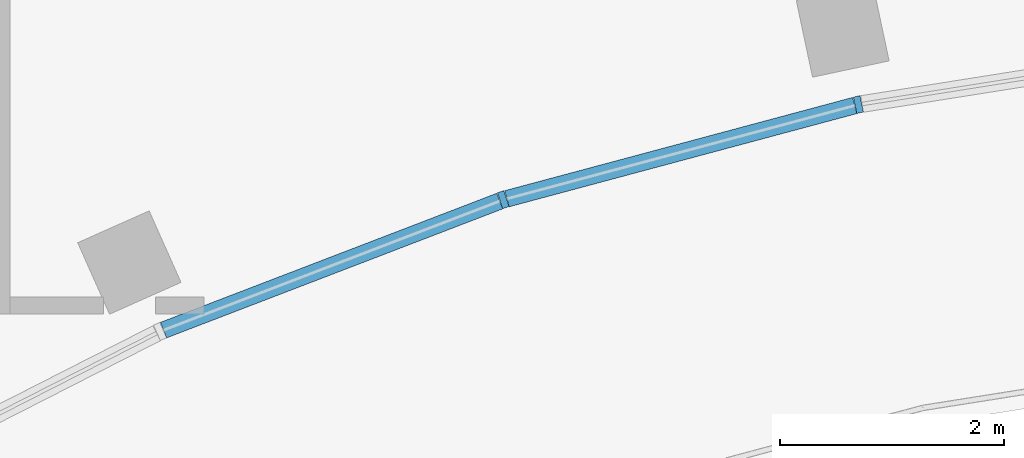
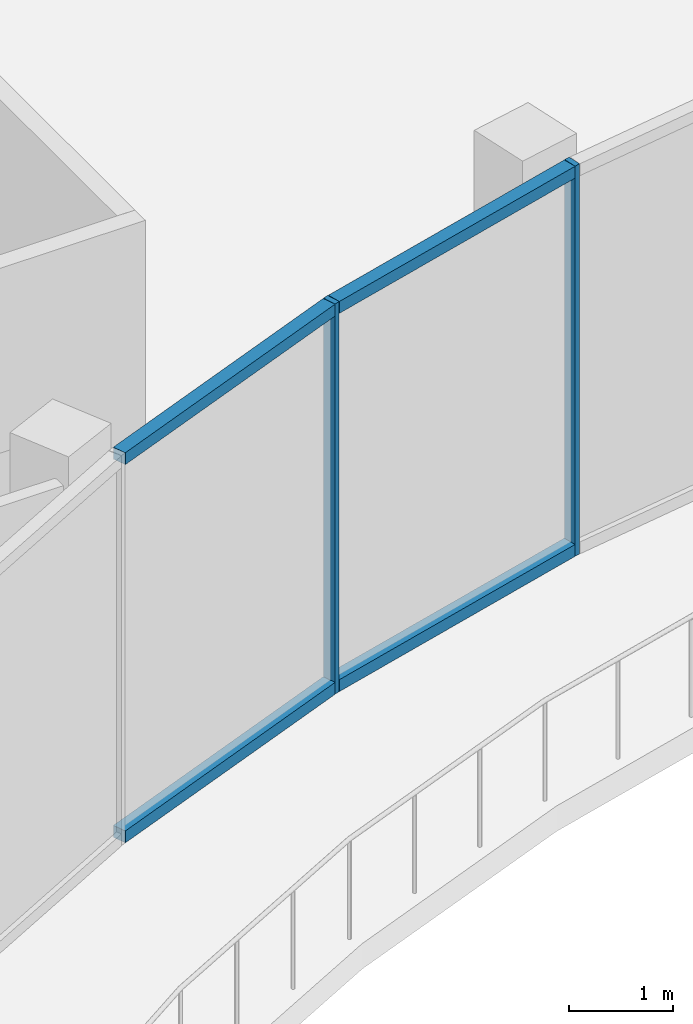
# One storey, part 6 of 33: 6 members, 1 element without a shape of its own.
"""IFC4 building model written with IfcOpenShell, lengths in metres."""

from ifc_helpers import new_model, si_unit, direction, frame, origin, origin_2d, place, context, subcontext, project, spatial, rectangle, extrude, material, layer, layer_set, material_profile, profile_set, type_object, element, aggregate, save


model = new_model("IFC4")

# Units and contexts
model_context = context("Model", 3, precision=1e-05, world=origin(), true_north=direction((0.0, 1.0)))
body_context = subcontext(model_context, "Body", "Model", "MODEL_VIEW")
ifc_project = project(units=[si_unit("LENGTHUNIT", "METRE"), si_unit("AREAUNIT", "SQUARE_METRE"), si_unit("VOLUMEUNIT", "CUBIC_METRE"), si_unit("PLANEANGLEUNIT", "RADIAN"), si_unit("MASSUNIT", "GRAM", prefix="KILO")], contexts=[model_context])

# Site, building, storey
site_placement = place(None, origin())
site = spatial("IfcSite", under=ifc_project, at=site_placement, CompositionType="ELEMENT")
building_placement = place(site_placement, origin())
building = spatial("IfcBuilding", under=site, at=building_placement, Name="Stone Belt Terrace Tower", CompositionType="ELEMENT")
storey_placement = place(building_placement, frame((0.0, 0.0, 25.39990234375)))
storey = spatial("IfcBuildingStorey", under=building, at=storey_placement, Name="L05", CompositionType="ELEMENT", Elevation=25.39990234375)

# Curtain wall, members
ifc_material = material(Name="Aluminium 6063-T6 anodised frame", Category="aluminium")
ifc_layer = layer(ifc_material, 0.14990234375)
ifc_layer_set = layer_set([ifc_layer], Name="CW-D podium shopfront")
curtain_wall_type = type_object("IfcCurtainWallType", Name="CW-D podium shopfront", PredefinedType="NOTDEFINED", material=ifc_layer_set)
curtain_wall_placement = place(storey_placement, origin())
curtain_wall = element("IfcCurtainWall", 1, at=curtain_wall_placement, inside=storey, type_object=curtain_wall_type, Name="CW-D concave face L05", PredefinedType="NOTDEFINED")
ifc_material_profile_1 = material_profile(ifc_material, rectangle(XDim=0.14990234375, YDim=0.06005859375, at=origin_2d()), Name="Aluminium 6063-T6 60x150")
ifc_profile_set_1 = profile_set([ifc_material_profile_1], Name="Aluminium 6063-T6 anodised frame")
member_type_1 = type_object("IfcMemberType", Name="CW-D mullion 60 x 150", PredefinedType="MULLION", material=ifc_profile_set_1)
member_1_placement = place(storey_placement, frame((-9.7109375, 29.886962890625, 0.0), z_axis=(0.0, 0.0, 1.0), x_axis=(-0.309016994375, 0.951056516295, 0.0)))
member_1 = element("IfcMember", 2, at=member_1_placement, type_object=member_type_1, Name="CW-D mullion 9", PredefinedType="MULLION", context=body_context, shape_type="SweptSolid", body=[
    extrude(rectangle(XDim=0.14990234375, YDim=0.06005859375, at=origin_2d()), origin(), (0.0, 0.0, 1.0), 4.60009765625),
])
member_2_placement = place(storey_placement, frame((-6.53369140625, 30.73828125, 0.0), z_axis=(0.0, 0.0, 1.0), x_axis=(-0.207911690818, 0.978147600734, 0.0)))
member_2 = element("IfcMember", 3, at=member_2_placement, type_object=member_type_1, Name="CW-D mullion 10", PredefinedType="MULLION", context=body_context, shape_type="SweptSolid", body=[
    extrude(rectangle(XDim=0.14990234375, YDim=0.06005859375, at=origin_2d()), origin(), (0.0, 0.0, 1.0), 4.60009765625),
])
ifc_material_profile_2 = material_profile(ifc_material, rectangle(XDim=0.14990234375, YDim=0.139892578125, at=origin_2d()), Name="Aluminium 6063-T6 150x140")
ifc_profile_set_2 = profile_set([ifc_material_profile_2], Name="Aluminium 6063-T6 anodised frame")
member_type_2 = type_object("IfcMemberType", Name="CW-D transom 140 x 150", PredefinedType="USERDEFINED", material=ifc_profile_set_2)
member_3_placement = place(storey_placement, frame((-12.75, 28.72021484375, 0.070068359375), z_axis=(0.933575889174, 0.358379769454, 0.0), x_axis=(-0.358379769454, 0.933575889174, 0.0)))
member_3 = element("IfcMember", 4, at=member_3_placement, type_object=member_type_2, Name="CW-D transom 8.1", ObjectType="TRANSOM", PredefinedType="USERDEFINED", context=body_context, shape_type="SweptSolid", body=[
    extrude(rectangle(XDim=0.14990234375, YDim=0.139892578125, at=origin_2d()), origin(), (0.0, 0.0, 1.0), 3.221435546875),
])
member_4_placement = place(storey_placement, frame((-12.75, 28.72021484375, 4.530029296875), z_axis=(0.933575889174, 0.358379769454, 0.0), x_axis=(-0.358379769454, 0.933575889174, 0.0)))
member_4 = element("IfcMember", 5, at=member_4_placement, type_object=member_type_2, Name="CW-D transom 8.2", ObjectType="TRANSOM", PredefinedType="USERDEFINED", context=body_context, shape_type="SweptSolid", body=[
    extrude(rectangle(XDim=0.14990234375, YDim=0.139892578125, at=origin_2d()), origin(), (0.0, 0.0, 1.0), 3.221435546875),
])
member_5_placement = place(storey_placement, frame((-9.677978515625, 29.8955078125, 0.070068359375), z_axis=(0.96590711301, 0.258888873915, 0.0), x_axis=(-0.258888873915, 0.96590711301, 0.0)))
member_5 = element("IfcMember", 6, at=member_5_placement, type_object=member_type_2, Name="CW-D transom 9.1", ObjectType="TRANSOM", PredefinedType="USERDEFINED", context=body_context, shape_type="SweptSolid", body=[
    extrude(rectangle(XDim=0.14990234375, YDim=0.139892578125, at=origin_2d()), origin(), (0.0, 0.0, 1.0), 3.221435546875),
])
member_6_placement = place(storey_placement, frame((-9.677978515625, 29.8955078125, 4.530029296875), z_axis=(0.96590711301, 0.258888873915, 0.0), x_axis=(-0.258888873915, 0.96590711301, 0.0)))
member_6 = element("IfcMember", 7, at=member_6_placement, type_object=member_type_2, Name="CW-D transom 9.2", ObjectType="TRANSOM", PredefinedType="USERDEFINED", context=body_context, shape_type="SweptSolid", body=[
    extrude(rectangle(XDim=0.14990234375, YDim=0.139892578125, at=origin_2d()), origin(), (0.0, 0.0, 1.0), 3.221435546875),
])
aggregate(curtain_wall, [member_1, member_2, member_3, member_4, member_5, member_6])

save(model, "model.ifc")
